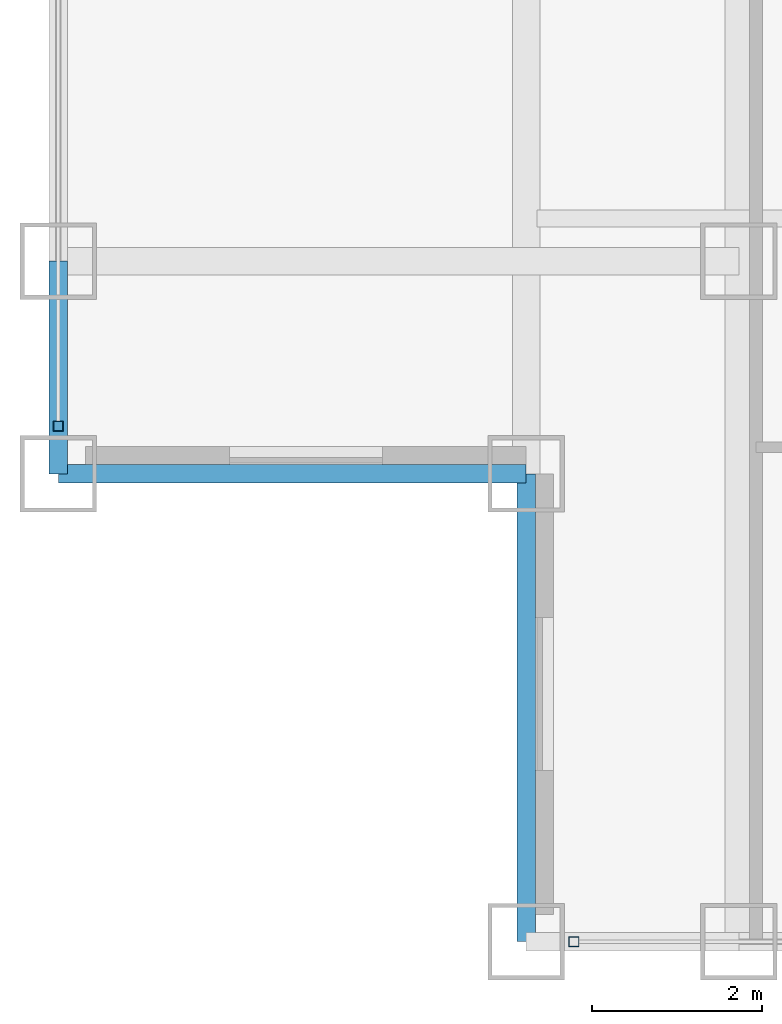
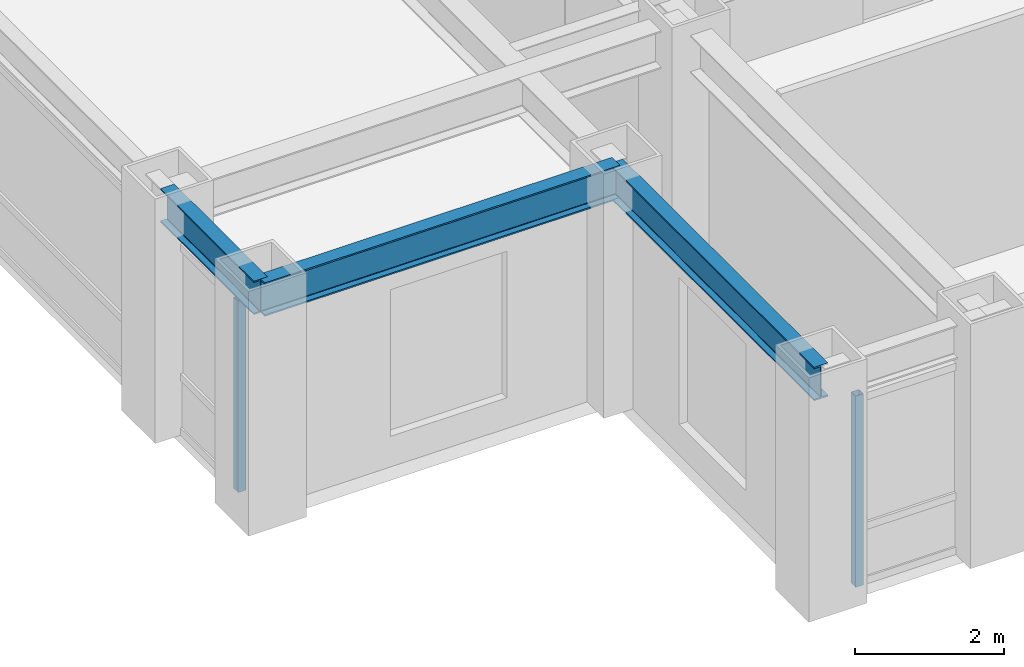
# One storey, part 2 of 22: 3 beams, 2 members, 2 elements without a shape of their own.
"""IFC4 building model written with IfcOpenShell, lengths in metres."""

from ifc_helpers import new_model, si_unit, direction, frame, origin, origin_2d, place, context, subcontext, project, spatial, hollow_rectangle, i_section, extrude, source, transform, mapped, material, material_profile, profile_set, type_object, element, aggregate, save


model = new_model("IFC4")

# Units and contexts
model_context = context("Model", 3, precision=1e-05, world=origin(), true_north=direction((0.0, 1.0)))
body_context = subcontext(model_context, "Body", "Model", "MODEL_VIEW")
ifc_project = project(units=[si_unit("LENGTHUNIT", "METRE"), si_unit("AREAUNIT", "SQUARE_METRE"), si_unit("VOLUMEUNIT", "CUBIC_METRE"), si_unit("PLANEANGLEUNIT", "RADIAN"), si_unit("MASSUNIT", "GRAM", prefix="KILO")], contexts=[model_context])

# Site, building, storey
site_placement = place(None, origin())
site = spatial("IfcSite", under=ifc_project, at=site_placement, CompositionType="ELEMENT")
building_placement = place(site_placement, origin())
building = spatial("IfcBuilding", under=site, at=building_placement, Name="Khorayat Bourse Tower", CompositionType="ELEMENT")
storey_placement = place(building_placement, frame((0.0, 0.0, 293.5)))
storey = spatial("IfcBuildingStorey", under=building, at=storey_placement, Name="L69", CompositionType="ELEMENT", Elevation=293.5)

# Beams
ifc_material_1 = material(Name="Steel ASTM A992 Grade 50", Category="steel")
ifc_material_profile_1 = material_profile(ifc_material_1, i_section(OverallWidth=0.214111328125, OverallDepth=0.549072265625, WebThickness=0.0146484375, FlangeThickness=0.023681640625, FilletRadius=0.013916015625, at=origin_2d()), Name="W530X138")
ifc_profile_set_1 = profile_set([ifc_material_profile_1], Name="Steel ASTM A992 Grade 50")
beam_type = type_object("IfcBeamType", Name="BM-SPAN-530", PredefinedType="SPANDREL", material=ifc_profile_set_1)
shared_shape_1 = source(origin(), body_context, "Body", "SweptSolid", [
    extrude(i_section(OverallWidth=0.214111328125, OverallDepth=0.549072265625, WebThickness=0.0146484375, FlangeThickness=0.023681640625, FilletRadius=0.013916015625, at=origin_2d()), origin(), (0.0, 0.0, 1.0), 2.5),
])
beam_placement = place(storey_placement, frame((-28.0, -22.5, 3.505615234375), z_axis=(0.0, 1.0, 0.0), x_axis=(-1.0, 0.0, 0.0)))
element("IfcBeam", 1, at=beam_placement, inside=storey, type_object=beam_type, Name="L69 BM-SPAN-530 BM-L69-SPN-061", PredefinedType="SPANDREL", context=body_context, shape_type="MappedRepresentation", body=[
    mapped(shared_shape_1, transform((0.0, 0.0, 0.0), scale=1.0)),
])
shared_shape_2 = source(origin(), body_context, "Body", "SweptSolid", [
    extrude(i_section(OverallWidth=0.214111328125, OverallDepth=0.549072265625, WebThickness=0.0146484375, FlangeThickness=0.023681640625, FilletRadius=0.013916015625, at=origin_2d()), origin(), (0.0, 0.0, 1.0), 5.5),
])
for number, where, z_axis, x_axis, name in (
    (2, (-28.0, -22.5, 3.505615234375), (1.0, 0.0, 0.0), (0.0, 1.0, 0.0), "L69 BM-SPAN-530 BM-L69-SPN-062"),
    (3, (-22.5, -28.0, 3.505615234375), (0.0, 1.0, 0.0), (-1.0, 0.0, 0.0), "L69 BM-SPAN-530 BM-L69-SPN-063"),
):
    element("IfcBeam", number, at=place(storey_placement, frame(where, z_axis=z_axis, x_axis=x_axis)), inside=storey, type_object=beam_type, Name=name, PredefinedType="SPANDREL", context=body_context, shape_type="MappedRepresentation", body=[
        mapped(shared_shape_2, transform((0.0, 0.0, 0.0), scale=1.0)),
    ])

# Curtain wall, member
ifc_material_2 = material(Name="Aluminium EN AW-6063 T6", Category="aluminium")
curtain_wall_type = type_object("IfcCurtainWallType", Name="CW-SYS-04", PredefinedType="NOTDEFINED", material=ifc_material_2)
curtain_wall_1_placement = place(storey_placement, origin())
curtain_wall_1 = element("IfcCurtainWall", 4, at=curtain_wall_1_placement, inside=storey, type_object=curtain_wall_type, Name="L69 Curtain Wall CW-L69-S1", PredefinedType="NOTDEFINED")
ifc_material_profile_2 = material_profile(ifc_material_2, hollow_rectangle(XDim=0.1201171875, YDim=0.1201171875, WallThickness=0.0048828125, at=origin_2d()), Name="ALU 120x120x5")
ifc_profile_set_2 = profile_set([ifc_material_profile_2], Name="Aluminium EN AW-6063 T6")
member_type = type_object("IfcMemberType", Name="CWM-VERT-120", PredefinedType="MULLION", material=ifc_profile_set_2)
shared_shape_3 = source(origin(), body_context, "Body", "SweptSolid", [
    extrude(hollow_rectangle(XDim=0.1201171875, YDim=0.1201171875, WallThickness=0.0048828125, at=origin_2d()), origin(), (0.0, 0.0, 1.0), 3.1298828125),
])
member_1_placement = place(storey_placement, frame((-21.93994140625, -28.0, 0.0), z_axis=(0.0, 0.0, 1.0), x_axis=(0.0, 1.0, 0.0)))
member_1 = element("IfcMember", 5, at=member_1_placement, type_object=member_type, Name="CW-L69-S1 Vertical Mullion 1", PredefinedType="MULLION", context=body_context, shape_type="MappedRepresentation", body=[
    mapped(shared_shape_3, transform((0.0, 0.0, 0.0), scale=1.0)),
])
aggregate(curtain_wall_1, [member_1])

curtain_wall_2_placement = place(storey_placement, origin())
curtain_wall_2 = element("IfcCurtainWall", 6, at=curtain_wall_2_placement, inside=storey, type_object=curtain_wall_type, Name="L69 Curtain Wall CW-L69-W1", PredefinedType="NOTDEFINED")
member_2_placement = place(storey_placement, frame((-28.0, -21.93994140625, 0.0), z_axis=(0.0, 0.0, 1.0), x_axis=(-1.0, 0.0, 0.0)))
member_2 = element("IfcMember", 7, at=member_2_placement, type_object=member_type, Name="CW-L69-W1 Vertical Mullion 1", PredefinedType="MULLION", context=body_context, shape_type="MappedRepresentation", body=[
    mapped(shared_shape_3, transform((0.0, 0.0, 0.0), scale=1.0)),
])
aggregate(curtain_wall_2, [member_2])

save(model, "model.ifc")
